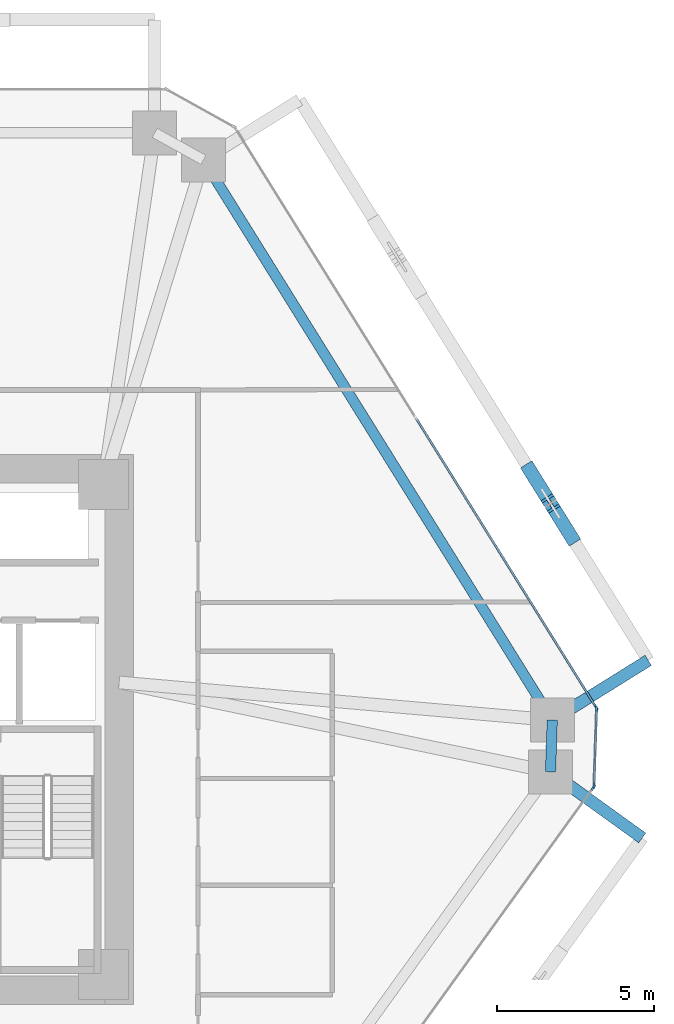
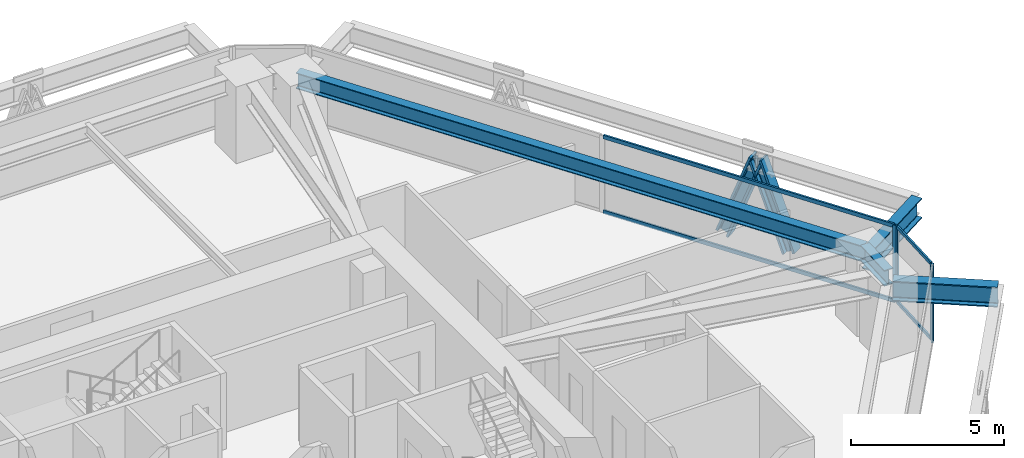
# One storey, part 6 of 16: 10 members, 4 beams, 3 elements without a shape of their own.
"""IFC4 building model written with IfcOpenShell, lengths in metres."""

from ifc_helpers import new_model, si_unit, direction, frame, origin, origin_2d, place, context, subcontext, project, spatial, rectangle, i_section, extrude, source, transform, mapped, material, layer, layer_set, material_profile, profile_set, type_object, type_shapes, element, aggregate, save


model = new_model("IFC4")

# Units and contexts
model_context = context("Model", 3, precision=1e-05, world=origin(), true_north=direction((0.0, 1.0)))
body_context = subcontext(model_context, "Body", "Model", "MODEL_VIEW")
ifc_project = project(units=[si_unit("LENGTHUNIT", "METRE"), si_unit("AREAUNIT", "SQUARE_METRE"), si_unit("VOLUMEUNIT", "CUBIC_METRE"), si_unit("PLANEANGLEUNIT", "RADIAN"), si_unit("MASSUNIT", "GRAM", prefix="KILO")], contexts=[model_context])

# Site, building, storey
site_placement = place(None, origin())
site = spatial("IfcSite", under=ifc_project, at=site_placement, CompositionType="ELEMENT")
building_placement = place(site_placement, origin())
building = spatial("IfcBuilding", under=site, at=building_placement, Name="Durnholm Broadcast Tower", CompositionType="ELEMENT")
storey_placement = place(building_placement, frame((0.0, 0.0, 65.39990234375)))
storey = spatial("IfcBuildingStorey", under=building, at=storey_placement, Name="L16", CompositionType="ELEMENT", Elevation=65.39990234375)

# Beams
ifc_material_1 = material(Name="Steel ASTM A992 Grade 50", Category="steel")
ifc_material_profile_1 = material_profile(ifc_material_1, i_section(OverallWidth=0.3291015625, OverallDepth=0.635009765625, WebThickness=0.017822265625, FlangeThickness=0.031005859375, FilletRadius=0.02783203125, at=origin_2d()), Name="W24X162")
ifc_profile_set_1 = profile_set([ifc_material_profile_1], Name="Steel ASTM A992 Grade 50")
beam_type_1 = type_object("IfcBeamType", Name="STL-SP-W24X162", PredefinedType="SPANDREL", material=ifc_profile_set_1)
shared_shape_1 = source(origin(), body_context, "Body", "SweptSolid", [
    extrude(i_section(OverallWidth=0.3291015625, OverallDepth=0.635009765625, WebThickness=0.017822265625, FlangeThickness=0.031005859375, FilletRadius=0.02783203125, at=origin_2d()), origin(), (0.0, 0.0, 1.0), 21.014404296875),
])
beam_1_placement = place(storey_placement, frame((12.982666015625, 18.138427734375, 2.7275390625), z_axis=(0.528595731543, -0.848873696491, 0.0), x_axis=(0.848873696491, 0.528595731543, 0.0)))
element("IfcBeam", 1, at=beam_1_placement, inside=storey, type_object=beam_type_1, Name="L16 perimeter spandrel girder 07", PredefinedType="SPANDREL", context=body_context, shape_type="MappedRepresentation", body=[
    mapped(shared_shape_1, transform((0.0, 0.0, 0.0), x_axis=(1.0, 0.0, 0.0), y_axis=(0.0, 1.0, 0.0), z_axis=(0.0, 0.0, 1.0), scale=1.0)),
])
shared_shape_2 = source(origin(), body_context, "Body", "SweptSolid", [
    extrude(i_section(OverallWidth=0.3291015625, OverallDepth=0.635009765625, WebThickness=0.017822265625, FlangeThickness=0.031005859375, FilletRadius=0.02783203125, at=origin_2d()), origin(), (0.0, 0.0, 1.0), 1.648193359375),
])
type_shapes(beam_type_1, [shared_shape_1, shared_shape_2])
beam_2_placement = place(storey_placement, frame((24.0908203125, 0.2998046875, 2.7275390625), z_axis=(-0.033921477804, -0.999424501072, 0.0), x_axis=(0.999424501072, -0.033921477804, 0.0)))
element("IfcBeam", 2, at=beam_2_placement, inside=storey, type_object=beam_type_1, Name="L16 perimeter spandrel girder 08", PredefinedType="SPANDREL", context=body_context, shape_type="MappedRepresentation", body=[
    mapped(shared_shape_2, transform((0.0, 0.0, 0.0), x_axis=(1.0, 0.0, 0.0), y_axis=(0.0, 1.0, 0.0), z_axis=(0.0, 0.0, 1.0), scale=1.0)),
])
ifc_material_profile_2 = material_profile(ifc_material_1, i_section(OverallWidth=0.385009765625, OverallDepth=0.802978515625, WebThickness=0.023681640625, FlangeThickness=0.0419921875, FilletRadius=0.032958984375, at=origin_2d()), Name="W30X261")
ifc_profile_set_2 = profile_set([ifc_material_profile_2], Name="Steel ASTM A992 Grade 50")
beam_type_2 = type_object("IfcBeamType", Name="BM-EXO-TIE", PredefinedType="USERDEFINED", material=ifc_profile_set_2)
shared_shape_3 = source(origin(), body_context, "Body", "SweptSolid", [
    extrude(i_section(OverallWidth=0.385009765625, OverallDepth=0.802978515625, WebThickness=0.023681640625, FlangeThickness=0.0419921875, FilletRadius=0.032958984375, at=origin_2d()), origin(), (0.0, 0.0, 1.0), 3.4560546875),
])
beam_3_placement = place(storey_placement, frame((24.212890625, 0.375732421875, 2.30859375), z_axis=(0.848874183218, 0.528594949906, 0.0), x_axis=(-0.528594949906, 0.848874183218, 0.0)))
element("IfcBeam", 3, at=beam_3_placement, inside=storey, type_object=beam_type_2, Name="L16 exoskeleton stand-off tie bracket F3.1", ObjectType="GIRDER", PredefinedType="USERDEFINED", context=body_context, shape_type="MappedRepresentation", body=[
    mapped(shared_shape_3, transform((0.0, 0.0, 0.0), x_axis=(1.0, 0.0, 0.0), y_axis=(0.0, 1.0, 0.0), z_axis=(0.0, 0.0, 1.0), scale=1.0)),
])
shared_shape_4 = source(origin(), body_context, "Body", "SweptSolid", [
    extrude(i_section(OverallWidth=0.385009765625, OverallDepth=0.802978515625, WebThickness=0.023681640625, FlangeThickness=0.0419921875, FilletRadius=0.032958984375, at=origin_2d()), origin(), (0.0, 0.0, 1.0), 3.455810546875),
])
type_shapes(beam_type_2, [shared_shape_3, shared_shape_4])
beam_4_placement = place(storey_placement, frame((24.15185546875, -1.431396484375, 2.30859375), z_axis=(0.811133512552, -0.584861030344, 0.0), x_axis=(0.584861030344, 0.811133512552, 0.0)))
element("IfcBeam", 4, at=beam_4_placement, inside=storey, type_object=beam_type_2, Name="L16 exoskeleton stand-off tie bracket F2.2", ObjectType="GIRDER", PredefinedType="USERDEFINED", context=body_context, shape_type="MappedRepresentation", body=[
    mapped(shared_shape_4, transform((0.0, 0.0, 0.0), x_axis=(1.0, 0.0, 0.0), y_axis=(0.0, 1.0, 0.0), z_axis=(0.0, 0.0, 1.0), scale=1.0)),
])

# Members
ifc_material_2 = material(Name="Steel ASTM A913 Grade 65", Category="steel")
ifc_material_profile_3 = material_profile(ifc_material_2, i_section(OverallWidth=0.43212890625, OverallDepth=0.497802734375, WebThickness=0.0556640625, FlangeThickness=0.0888671875, FilletRadius=0.030517578125, at=origin_2d()), Name="W14X500")
ifc_profile_set_3 = profile_set([ifc_material_profile_3], Name="Steel ASTM A913 Grade 65")
member_type_1 = type_object("IfcMemberType", Name="STL-DG-W14X500", PredefinedType="BRACE", material=ifc_profile_set_3)
shared_shape_5 = source(origin(), body_context, "Body", "SweptSolid", [
    extrude(i_section(OverallWidth=0.43212890625, OverallDepth=0.497802734375, WebThickness=0.0556640625, FlangeThickness=0.0888671875, FilletRadius=0.030517578125, at=origin_2d()), origin(), (0.0, 0.0, 1.0), 3.52294921875),
])
type_shapes(member_type_1, [shared_shape_5])
for number, where, z_axis, x_axis, name in (
    (5, (24.688720703125, 6.150146484375, -0.9912109375), (-0.185169322747, 0.29729655486, 0.936657397548), (-0.848819847179, -0.528682198523, 0.0), "L16 stand-off diagrid brace F3.D1.1"),
    (6, (23.38427734375, 8.244873046875, -0.9912109375), (0.185102397695, -0.297300369192, 0.936669414919), (0.848908635391, 0.528539618911, 0.0), "L16 stand-off diagrid brace F3.D1.2"),
):
    element("IfcMember", number, at=place(storey_placement, frame(where, z_axis=z_axis, x_axis=x_axis)), inside=storey, type_object=member_type_1, Name=name, PredefinedType="BRACE", context=body_context, shape_type="MappedRepresentation", body=[
        mapped(shared_shape_5, transform((0.0, 0.0, 0.0), x_axis=(1.0, 0.0, 0.0), y_axis=(0.0, 1.0, 0.0), z_axis=(0.0, 0.0, 1.0), scale=1.0)),
    ])

# Curtain wall, members
ifc_material_3 = material(Name="Aluminium and Solar Control IGU", Category="aluminium")
ifc_layer_1 = layer(ifc_material_3, 0.1650390625)
ifc_layer_set_1 = layer_set([ifc_layer_1], Name="Aluminium and Solar Control IGU")
curtain_wall_type_1 = type_object("IfcCurtainWallType", Name="CW-SYS-5", PredefinedType="NOTDEFINED", material=ifc_layer_set_1)
curtain_wall_1_placement = place(storey_placement, origin())
curtain_wall_1 = element("IfcCurtainWall", 7, at=curtain_wall_1_placement, inside=storey, type_object=curtain_wall_type_1, Name="L16 curtain wall CW-CORNER CW-L16-CRN-07", PredefinedType="NOTDEFINED")
ifc_material_4 = material(Name="Aluminium 6063-T6", Category="aluminium")
ifc_material_profile_4 = material_profile(ifc_material_4, rectangle(XDim=0.06494140625, YDim=0.1650390625, at=origin_2d()), Name="CWM65X165")
ifc_profile_set_4 = profile_set([ifc_material_profile_4], Name="Aluminium 6063-T6")
member_type_2 = type_object("IfcMemberType", Name="CW-SYS-5-MUL", PredefinedType="MULLION", material=ifc_profile_set_4)
shared_shape_6 = source(origin(), body_context, "Body", "SweptSolid", [
    extrude(rectangle(XDim=0.06494140625, YDim=0.1650390625, at=origin_2d()), origin(), (0.0, 0.0, 1.0), 3.06005859375),
])
type_shapes(member_type_2, [shared_shape_6])
member_1_placement = place(storey_placement, frame((25.50341796875, 0.6455078125, 0.0), z_axis=(0.0, 0.0, 1.0), x_axis=(0.999427277772, -0.033839569233, 0.0)))
member_1 = element("IfcMember", 8, at=member_1_placement, type_object=member_type_2, Name="CW-CORNER mullion 1", PredefinedType="MULLION", context=body_context, shape_type="MappedRepresentation", body=[
    mapped(shared_shape_6, transform((0.0, 0.0, 0.0), x_axis=(1.0, 0.0, 0.0), y_axis=(0.0, 1.0, 0.0), z_axis=(0.0, 0.0, 1.0), scale=1.0)),
])
member_2_placement = place(storey_placement, frame((25.4208984375, -1.7880859375, 0.0), z_axis=(0.0, 0.0, 1.0), x_axis=(0.999427277772, -0.033839569233, 0.0)))
member_2 = element("IfcMember", 9, at=member_2_placement, type_object=member_type_2, Name="CW-CORNER mullion 2", PredefinedType="MULLION", context=body_context, shape_type="MappedRepresentation", body=[
    mapped(shared_shape_6, transform((0.0, 0.0, 0.0), x_axis=(1.0, 0.0, 0.0), y_axis=(0.0, 1.0, 0.0), z_axis=(0.0, 0.0, 1.0), scale=1.0)),
])
ifc_material_profile_5 = material_profile(ifc_material_4, rectangle(XDim=0.06494140625, YDim=0.1298828125, at=origin_2d()), Name="CWT65X130")
ifc_profile_set_5 = profile_set([ifc_material_profile_5], Name="Aluminium 6063-T6")
member_type_3 = type_object("IfcMemberType", Name="CW-SYS-5-TRN", PredefinedType="USERDEFINED", material=ifc_profile_set_5)
shared_shape_7 = source(origin(), body_context, "Body", "SweptSolid", [
    extrude(rectangle(XDim=0.06494140625, YDim=0.1298828125, at=origin_2d()), origin(), (0.0, 0.0, 1.0), 2.3701171875),
])
type_shapes(member_type_3, [shared_shape_7])
member_3_placement = place(storey_placement, frame((25.502197265625, 0.613037109375, 0.03271484375), z_axis=(-0.033788158898, -0.999429017148, 0.0), x_axis=(0.999429017148, -0.033788158898, 0.0)))
member_3 = element("IfcMember", 10, at=member_3_placement, type_object=member_type_3, Name="CW-CORNER transom 1.1", ObjectType="TRANSOM", PredefinedType="USERDEFINED", context=body_context, shape_type="MappedRepresentation", body=[
    mapped(shared_shape_7, transform((0.0, 0.0, 0.0), x_axis=(1.0, 0.0, 0.0), y_axis=(0.0, 1.0, 0.0), z_axis=(0.0, 0.0, 1.0), scale=1.0)),
])
member_4_placement = place(storey_placement, frame((25.502197265625, 0.613037109375, 3.027587890625), z_axis=(-0.033788158898, -0.999429017148, 0.0), x_axis=(0.999429017148, -0.033788158898, 0.0)))
member_4 = element("IfcMember", 11, at=member_4_placement, type_object=member_type_3, Name="CW-CORNER transom 1.2", ObjectType="TRANSOM", PredefinedType="USERDEFINED", context=body_context, shape_type="MappedRepresentation", body=[
    mapped(shared_shape_7, transform((0.0, 0.0, 0.0), x_axis=(1.0, 0.0, 0.0), y_axis=(0.0, 1.0, 0.0), z_axis=(0.0, 0.0, 1.0), scale=1.0)),
])
aggregate(curtain_wall_1, [member_1, member_2, member_3, member_4])

# Curtain wall, member
ifc_layer_2 = layer(ifc_material_3, 0.18994140625)
ifc_layer_set_2 = layer_set([ifc_layer_2], Name="Aluminium and Solar Control IGU")
curtain_wall_type_2 = type_object("IfcCurtainWallType", Name="CW-SYS-3", PredefinedType="NOTDEFINED", material=ifc_layer_set_2)
curtain_wall_2_placement = place(storey_placement, origin())
curtain_wall_2 = element("IfcCurtainWall", 12, at=curtain_wall_2_placement, inside=storey, type_object=curtain_wall_type_2, Name="L16 curtain wall CW-Z12-VIS CW-L16-F06", PredefinedType="NOTDEFINED")
ifc_material_profile_6 = material_profile(ifc_material_4, rectangle(XDim=0.070068359375, YDim=0.18994140625, at=origin_2d()), Name="CWM70X190")
ifc_profile_set_6 = profile_set([ifc_material_profile_6], Name="Aluminium 6063-T6")
member_type_4 = type_object("IfcMemberType", Name="CW-SYS-3-MUL", PredefinedType="MULLION", material=ifc_profile_set_6)
shared_shape_8 = source(origin(), body_context, "Body", "SweptSolid", [
    extrude(rectangle(XDim=0.070068359375, YDim=0.18994140625, at=origin_2d()), origin(), (0.0, 0.0, 1.0), 3.06005859375),
])
type_shapes(member_type_4, [shared_shape_8])
member_5_placement = place(storey_placement, frame((25.48583984375, 0.707763671875, 0.0), z_axis=(0.0, 0.0, 1.0), x_axis=(0.848875785503, 0.528592376777, 0.0)))
member_5 = element("IfcMember", 13, at=member_5_placement, type_object=member_type_4, Name="CW-Z12-VIS mullion 3", PredefinedType="MULLION", context=body_context, shape_type="MappedRepresentation", body=[
    mapped(shared_shape_8, transform((0.0, 0.0, 0.0), x_axis=(1.0, 0.0, 0.0), y_axis=(0.0, 1.0, 0.0), z_axis=(0.0, 0.0, 1.0), scale=1.0)),
])

curtain_wall_3_placement = place(storey_placement, origin())
curtain_wall_3 = element("IfcCurtainWall", 14, at=curtain_wall_3_placement, inside=storey, type_object=curtain_wall_type_2, Name="L16 curtain wall CW-Z12-VIS CW-L16-F08", PredefinedType="NOTDEFINED")
member_6_placement = place(storey_placement, frame((25.3994140625, -1.848876953125, 0.0), z_axis=(0.0, 0.0, 1.0), x_axis=(0.81116057493, -0.584823496176, 0.0)))
member_6 = element("IfcMember", 15, at=member_6_placement, type_object=member_type_4, Name="CW-Z12-VIS mullion 1", PredefinedType="MULLION", context=body_context, shape_type="MappedRepresentation", body=[
    mapped(shared_shape_8, transform((0.0, 0.0, 0.0), x_axis=(1.0, 0.0, 0.0), y_axis=(0.0, 1.0, 0.0), z_axis=(0.0, 0.0, 1.0), scale=1.0)),
])
aggregate(curtain_wall_3, [member_6])

# Member
ifc_material_profile_7 = material_profile(ifc_material_4, rectangle(XDim=0.070068359375, YDim=0.14990234375, at=origin_2d()), Name="CWT70X150")
ifc_profile_set_7 = profile_set([ifc_material_profile_7], Name="Aluminium 6063-T6")
member_type_5 = type_object("IfcMemberType", Name="CW-SYS-3-TRN", PredefinedType="USERDEFINED", material=ifc_profile_set_7)
shared_shape_9 = source(origin(), body_context, "Body", "SweptSolid", [
    extrude(rectangle(XDim=0.070068359375, YDim=0.14990234375, at=origin_2d()), origin(), (0.0, 0.0, 1.0), 10.796630859375),
])
type_shapes(member_type_5, [shared_shape_9])
member_7_placement = place(storey_placement, frame((19.760498046875, 9.902587890625, 0.03515625), z_axis=(0.528575362968, -0.848886379714, 0.0), x_axis=(0.848886379714, 0.528575362968, 0.0)))
member_7 = element("IfcMember", 16, at=member_7_placement, type_object=member_type_5, Name="CW-Z12-VIS transom 2.1", ObjectType="TRANSOM", PredefinedType="USERDEFINED", context=body_context, shape_type="MappedRepresentation", body=[
    mapped(shared_shape_9, transform((0.0, 0.0, 0.0), x_axis=(1.0, 0.0, 0.0), y_axis=(0.0, 1.0, 0.0), z_axis=(0.0, 0.0, 1.0), scale=1.0)),
])

member_8_placement = place(storey_placement, frame((19.760498046875, 9.902587890625, 3.025146484375), z_axis=(0.528575362968, -0.848886379714, 0.0), x_axis=(0.848886379714, 0.528575362968, 0.0)))
member_8 = element("IfcMember", 17, at=member_8_placement, type_object=member_type_5, Name="CW-Z12-VIS transom 2.2", ObjectType="TRANSOM", PredefinedType="USERDEFINED", context=body_context, shape_type="MappedRepresentation", body=[
    mapped(shared_shape_9, transform((0.0, 0.0, 0.0), x_axis=(1.0, 0.0, 0.0), y_axis=(0.0, 1.0, 0.0), z_axis=(0.0, 0.0, 1.0), scale=1.0)),
])

aggregate(curtain_wall_2, [member_5, member_7, member_8])

save(model, "model.ifc")
